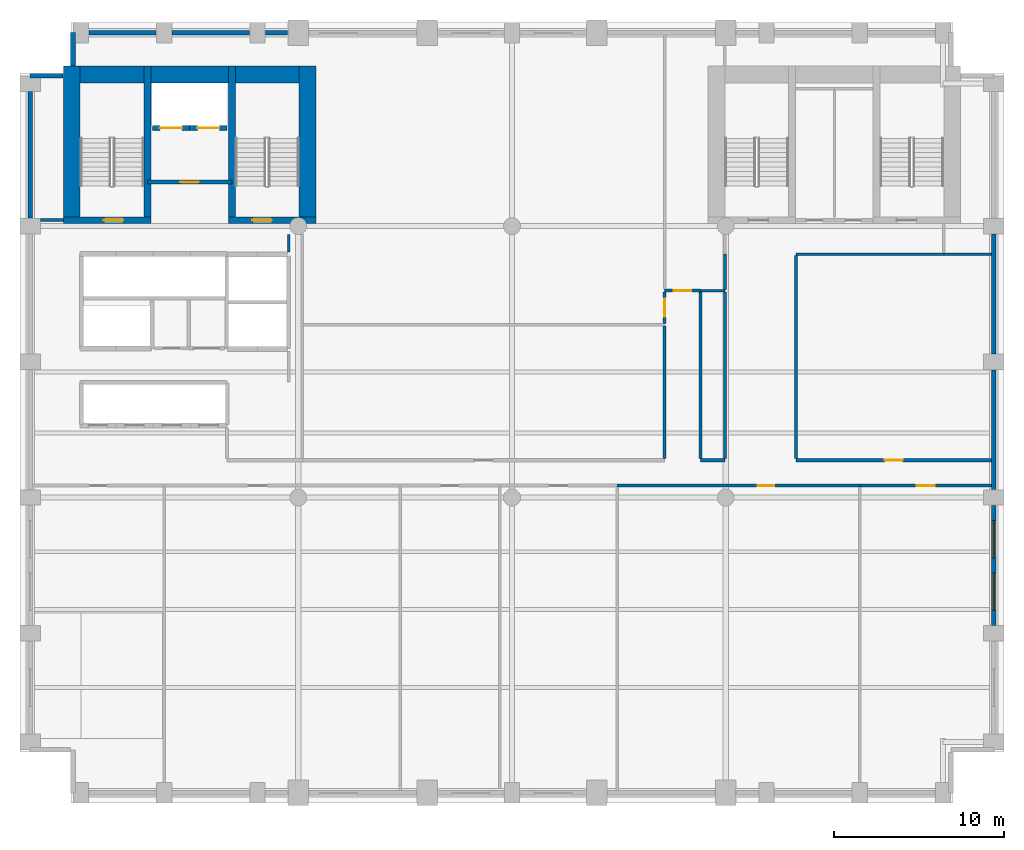
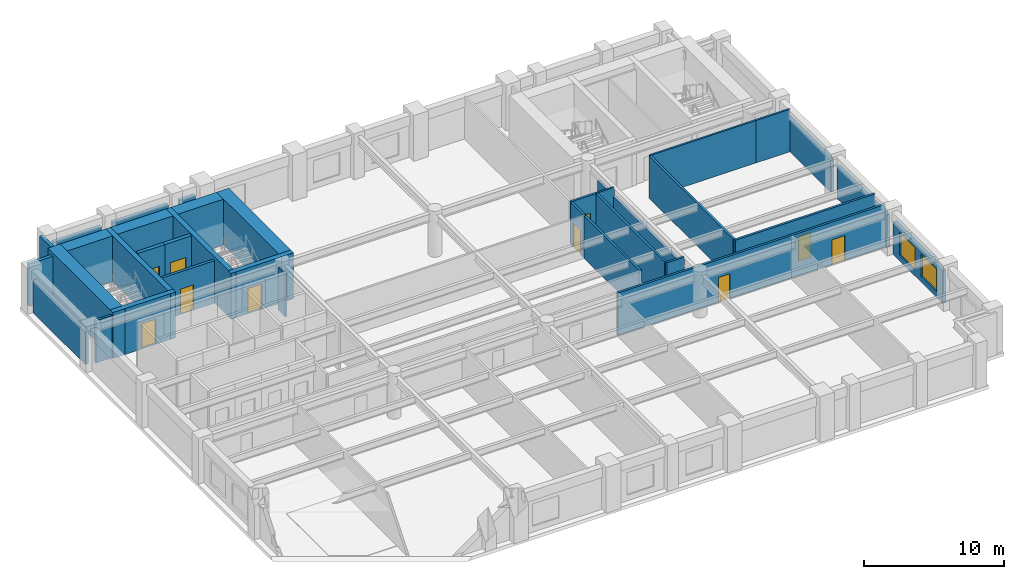
# One storey, part 4 of 9: 35 walls, 10 doors, 2 windows, 12 openings.
"""IFC4 building model written with IfcOpenShell, lengths in metres."""

import ifcopenshell
import ifcopenshell.guid

model = None  # the IFC model being written
_history = None  # IfcOwnerHistory: only IFC2X3 demands one
_inside = {}  # id of a spatial element -> (the spatial element, [elements in it])
_under = {}  # id of a project, library or spatial element -> (it, [spatial elements below it])
_declared = {}  # id of a project -> (the project, [libraries it declares])
_typed = {}  # id of a type object -> (the type object, [elements of that type])
_made_of = {}  # id of a material, layer set ... -> (it, [elements and type objects made of it])


def new_model(schema):
    """Start an empty IFC model of exactly this schema.

    Asked for "IFC4X3", IfcOpenShell would pick the latest addendum, in which some entities
    have other attributes; the version numbers below select the first issue.
    IFC2X3 requires an IfcOwnerHistory on every rooted entity: one is made here for all.
    """
    global model, _history
    if schema == "IFC4X3":
        model = ifcopenshell.file(schema_version=(4, 3, 0, 0))
    else:
        model = ifcopenshell.file(schema=schema)
    _inside.clear()
    _under.clear()
    _declared.clear()
    _typed.clear()
    _made_of.clear()
    _history = None
    if model.schema == "IFC2X3":
        org = make("IfcOrganization", Name="unknown")
        user = make(
            "IfcPersonAndOrganization",
            ThePerson=make("IfcPerson", FamilyName="unknown"),
            TheOrganization=org,
        )
        app = make(
            "IfcApplication",
            ApplicationDeveloper=org,
            Version="unknown",
            ApplicationFullName="unknown",
            ApplicationIdentifier="unknown",
        )
        _history = make(
            "IfcOwnerHistory",
            OwningUser=user,
            OwningApplication=app,
            ChangeAction="ADDED",
            CreationDate=0,
        )
    return model


def make(cls, **values):
    """One entity of the class cls with the attributes given. An attribute that is None is left unset."""
    return model.create_entity(
        cls, **{name: value for name, value in values.items() if value is not None}
    )


def rooted(cls, **values):
    """An entity with a GlobalId (a new one), such as an element, a storey or a relation."""
    return make(cls, GlobalId=ifcopenshell.guid.new(), OwnerHistory=_history, **values)


def si_unit(unit_type, name, prefix=None):
    """IfcSIUnit, for example si_unit("LENGTHUNIT", "METRE", prefix="MILLI")."""
    return make("IfcSIUnit", UnitType=unit_type, Prefix=prefix, Name=name)


def assignment(units):
    """IfcUnitAssignment: the units of a project."""
    return None if units is None else make("IfcUnitAssignment", Units=units)


def point(xyz):
    """IfcCartesianPoint."""
    return None if xyz is None else make("IfcCartesianPoint", Coordinates=xyz)


def direction(xyz):
    """IfcDirection."""
    return None if xyz is None else make("IfcDirection", DirectionRatios=xyz)


def frame(location, z_axis=None, x_axis=None):
    """IfcAxis2Placement3D, a coordinate frame: its origin and axes. An axis left out is left unset."""
    return make(
        "IfcAxis2Placement3D",
        Location=point(location),
        Axis=direction(z_axis),
        RefDirection=direction(x_axis),
    )


def frame_2d(location, x_axis=None):
    """IfcAxis2Placement2D, a coordinate frame in the plane: its origin and x axis."""
    return make(
        "IfcAxis2Placement2D", Location=point(location), RefDirection=direction(x_axis)
    )


def origin():
    """The frame at (0, 0, 0) with its axes left unset."""
    return frame((0.0, 0.0, 0.0))


def place(relative_to, where):
    """IfcLocalPlacement: puts the frame where relative to a parent placement (None: the world)."""
    return make(
        "IfcLocalPlacement", PlacementRelTo=relative_to, RelativePlacement=where
    )


def context(
    kind, dimensions, precision=None, world=None, true_north=None, identifier=None
):
    """IfcGeometricRepresentationContext, for example the 3D "Model" context."""
    return make(
        "IfcGeometricRepresentationContext",
        ContextIdentifier=identifier,
        ContextType=kind,
        CoordinateSpaceDimension=dimensions,
        Precision=precision,
        WorldCoordinateSystem=world,
        TrueNorth=true_north,
    )


def subcontext(parent, identifier, kind, view, scale=None):
    """IfcGeometricRepresentationSubContext, for example "Body" below "Model"."""
    return make(
        "IfcGeometricRepresentationSubContext",
        ContextIdentifier=identifier,
        ContextType=kind,
        ParentContext=parent,
        TargetScale=scale,
        TargetView=view,
    )


def project(units=None, contexts=None):
    """IfcProject with its units and contexts."""
    return rooted(
        "IfcProject",
        Name="project",
        RepresentationContexts=contexts,
        UnitsInContext=assignment(units),
    )


def spatial(cls, under=None, at=None, **own):
    """A site, building, storey or space (cls), placed at a placement, below another one or the project."""
    s = rooted(cls, ObjectPlacement=at, **own)
    if under is not None:
        _under.setdefault(under.id(), (under, []))[1].append(s)
    return s


def profile(cls, at=None, kind="AREA", **sizes):
    """A parametric profile (cls). Its sizes go by their IFC names, for example OverallWidth=200.0."""
    return make(cls, ProfileType=kind, Position=at, **sizes)


def rectangle(**sizes):
    """IfcRectangleProfileDef."""
    return profile("IfcRectangleProfileDef", **sizes)


def extrude(swept, where, along, depth):
    """IfcExtrudedAreaSolid: the profile swept, set in the frame where, extruded along a direction by depth."""
    return make(
        "IfcExtrudedAreaSolid",
        SweptArea=swept,
        Position=where,
        ExtrudedDirection=direction(along),
        Depth=depth,
    )


def shape(context_of_items, identifier, shape_type, items):
    """IfcShapeRepresentation: the items that make up one representation, for example the "Body"."""
    return make(
        "IfcShapeRepresentation",
        ContextOfItems=context_of_items,
        RepresentationIdentifier=identifier,
        RepresentationType=shape_type,
        Items=items,
    )


def material(Name=None, Category=None):
    """IfcMaterial."""
    return make("IfcMaterial", Name=Name, Category=Category)


def layer(
    of_material, thickness, ventilated=None, Name=None, Category=None, Priority=None
):
    """IfcMaterialLayer: one layer of a wall or slab, of a material (None: an air gap)."""
    return make(
        "IfcMaterialLayer",
        Material=of_material,
        LayerThickness=thickness,
        IsVentilated=ventilated,
        Name=Name,
        Category=Category,
        Priority=Priority,
    )


def layer_set(layers, Name=None):
    """IfcMaterialLayerSet."""
    return make("IfcMaterialLayerSet", MaterialLayers=layers, LayerSetName=Name)


def made_of(thing, what):
    """Note that an element or type object is made of a material, layer set ...; save() writes the relation."""
    if what is not None:
        _made_of.setdefault(what.id(), (what, []))[1].append(thing)
    return thing


def type_object(cls, material=None, **own):
    """A type object (cls), such as IfcWallType, which elements share."""
    return made_of(rooted(cls, **own), material)


def element(
    cls,
    number,
    at=None,
    inside=None,
    cuts=None,
    type_object=None,
    material=None,
    context=None,
    identifier="Body",
    shape_type=None,
    held_by="IfcProductDefinitionShape",
    body=None,
    shapes=None,
    **own,
):
    """One element of the class cls, such as IfcWall. Its Tag is "e" and its number.

    at: its placement. inside: the storey or other place that contains it. cuts: it is an
    opening in that element (IfcRelVoidsElement). A single representation is given by context,
    identifier, shape_type and body (its items); several are given by shapes. held_by: the class
    of the entity that holds the representations. save() writes the other relations.
    """
    e = rooted(cls, Tag="e%d" % number, ObjectPlacement=at, **own)
    if body is not None:
        shapes = [shape(context, identifier, shape_type, body)]
    if shapes is not None:
        e.Representation = make(held_by, Representations=shapes)
    if inside is not None:
        _inside.setdefault(inside.id(), (inside, []))[1].append(e)
    if cuts is not None:
        rooted(
            "IfcRelVoidsElement", RelatingBuildingElement=cuts, RelatedOpeningElement=e
        )
    if type_object is not None:
        _typed.setdefault(type_object.id(), (type_object, []))[1].append(e)
    return made_of(e, material)


def fill(opening, filler):
    """IfcRelFillsElement: the door or window that sits in an opening."""
    return rooted(
        "IfcRelFillsElement",
        RelatingOpeningElement=opening,
        RelatedBuildingElement=filler,
    )


def aggregate(whole, parts):
    """IfcRelAggregates: a whole, such as a stair, and the parts it consists of."""
    return rooted("IfcRelAggregates", RelatingObject=whole, RelatedObjects=parts)


def save(model, path):
    """Write the relations noted so far, then the file.

    IfcRelAggregates (storeys below a building ...), IfcRelContainedInSpatialStructure (elements
    in a storey), IfcRelDefinesByType, IfcRelAssociatesMaterial and IfcRelDeclares: one each for
    every whole, place, type object, material and project.
    """
    for whole, parts in _under.values():
        aggregate(whole, parts)
    for where, things in _inside.values():
        rooted(
            "IfcRelContainedInSpatialStructure",
            RelatedElements=things,
            RelatingStructure=where,
        )
    for kind, things in _typed.values():
        rooted("IfcRelDefinesByType", RelatedObjects=things, RelatingType=kind)
    for what, things in _made_of.values():
        rooted("IfcRelAssociatesMaterial", RelatedObjects=things, RelatingMaterial=what)
    for by, libraries in _declared.values():
        rooted("IfcRelDeclares", RelatingContext=by, RelatedDefinitions=libraries)
    model.write(path)


model = new_model("IFC4")

# Units and contexts
model_context = context("Model", 3, precision=1e-05, world=origin(), true_north=direction((0.0, 1.0)))
body_context = subcontext(model_context, "Body", "Model", "MODEL_VIEW")
ifc_project = project(units=[si_unit("LENGTHUNIT", "METRE"), si_unit("AREAUNIT", "SQUARE_METRE"), si_unit("VOLUMEUNIT", "CUBIC_METRE"), si_unit("PLANEANGLEUNIT", "RADIAN"), si_unit("MASSUNIT", "GRAM", prefix="KILO")], contexts=[model_context])

# Site, building, storey
site_placement = place(None, origin())
site = spatial("IfcSite", under=ifc_project, at=site_placement, CompositionType="ELEMENT")
building_placement = place(site_placement, origin())
building = spatial("IfcBuilding", under=site, at=building_placement, Name="Sulina Concourse Tower", CompositionType="ELEMENT")
storey_placement = place(building_placement, frame((0.0, 0.0, 66.60009765625)))
storey = spatial("IfcBuildingStorey", under=building, at=storey_placement, Name="L16", CompositionType="ELEMENT", Elevation=66.60009765625)

# Wall, opening, door
ifc_material_1 = material(Name="Concrete C50/60", Category="concrete")
ifc_layer_1 = layer(ifc_material_1, 0.300048828125)
ifc_layer_set_1 = layer_set([ifc_layer_1], Name="Concrete C50/60")
wall_type_1 = type_object("IfcWallType", Name="Core Lift Hoistway Wall 300mm", PredefinedType="SOLIDWALL", material=ifc_layer_set_1)
wall_1_placement = place(storey_placement, frame((10.0, 39.780029296875, 0.0), z_axis=(0.0, 0.0, 1.0), x_axis=(-1.0, 0.0, 0.0)))
wall_1 = element("IfcWall", 1, at=wall_1_placement, inside=storey, type_object=wall_type_1, Name="L16 hoistway enclosure wall FFL-1", PredefinedType="SOLIDWALL", context=body_context, shape_type="SweptSolid", body=[
    extrude(rectangle(XDim=2.199951171875, YDim=0.300048828125, at=frame_2d((1.10009765625, 0.0))), origin(), (0.0, 0.0, 1.0), 4.0),
])
opening_1_placement = place(wall_1_placement, frame((0.449951171875, 0.0, 0.0)))
opening_1 = element("IfcOpeningElement", 2, at=opening_1_placement, cuts=wall_1, Name="Opening LD-02", PredefinedType="OPENING", context=body_context, shape_type="SweptSolid", body=[
    extrude(rectangle(XDim=1.300048828125, YDim=2.25, at=frame_2d((0.64990234375, 1.125))), frame((0.0, 0.159912109375, 0.0), z_axis=(0.0, -1.0, 0.0), x_axis=(1.0, 0.0, 0.0)), (0.0, 0.0, 1.0), 0.320068359375),
])
ifc_material_2 = material(Name="Stainless steel lift landing door", Category="steel")
ifc_layer_2 = layer(ifc_material_2, 0.050048828125)
ifc_layer_set_2 = layer_set([ifc_layer_2], Name="Stainless steel lift landing door")
door_type_1 = type_object("IfcDoorType", Name="Firefighting Lift Sliding Landing Door 1300x2250", OperationType="SLIDING_TO_RIGHT", PredefinedType="DOOR", material=ifc_layer_set_2)
door_1_placement = place(opening_1_placement, origin())
door_1 = element("IfcDoor", 3, at=door_1_placement, inside=storey, type_object=door_type_1, Name="L16 lift landing sliding door FFL-1", OperationType="SLIDING_TO_LEFT", OverallHeight=2.25, OverallWidth=1.300048828125, PredefinedType="DOOR", context=body_context, shape_type="SweptSolid", body=[
    extrude(rectangle(XDim=1.300048828125, YDim=2.25, at=frame_2d((0.64990234375, 1.125))), frame((0.0, 0.02490234375, 0.0), z_axis=(0.0, -1.0, 0.0), x_axis=(1.0, 0.0, 0.0)), (0.0, 0.0, 1.0), 0.050048828125),
])
fill(opening_1, door_1)

wall_2_placement = place(storey_placement, frame((12.199951171875, 39.780029296875, 0.0), z_axis=(0.0, 0.0, 1.0), x_axis=(-1.0, 0.0, 0.0)))
wall_2 = element("IfcWall", 4, at=wall_2_placement, inside=storey, type_object=wall_type_1, Name="L16 hoistway enclosure wall FFL-2", PredefinedType="SOLIDWALL", context=body_context, shape_type="SweptSolid", body=[
    extrude(rectangle(XDim=2.199951171875, YDim=0.300048828125, at=frame_2d((1.10009765625, 0.0))), origin(), (0.0, 0.0, 1.0), 4.0),
])
opening_2_placement = place(wall_2_placement, frame((0.449951171875, 0.0, 0.0)))
opening_2 = element("IfcOpeningElement", 5, at=opening_2_placement, cuts=wall_2, Name="Opening LD-02", PredefinedType="OPENING", context=body_context, shape_type="SweptSolid", body=[
    extrude(rectangle(XDim=1.300048828125, YDim=2.25, at=frame_2d((0.64990234375, 1.125))), frame((0.0, 0.159912109375, 0.0), z_axis=(0.0, -1.0, 0.0), x_axis=(1.0, 0.0, 0.0)), (0.0, 0.0, 1.0), 0.320068359375),
])
door_2_placement = place(opening_2_placement, origin())
door_2 = element("IfcDoor", 6, at=door_2_placement, inside=storey, type_object=door_type_1, Name="L16 lift landing sliding door FFL-2", OperationType="SLIDING_TO_RIGHT", OverallHeight=2.25, OverallWidth=1.300048828125, PredefinedType="DOOR", context=body_context, shape_type="SweptSolid", body=[
    extrude(rectangle(XDim=1.300048828125, YDim=2.25, at=frame_2d((0.64990234375, 1.125))), frame((0.0, 0.02490234375, 0.0), z_axis=(0.0, -1.0, 0.0), x_axis=(1.0, 0.0, 0.0)), (0.0, 0.0, 1.0), 0.050048828125),
])
fill(opening_2, door_2)

ifc_material_3 = material(Name="Gypsum board on steel stud", Category="steel")
ifc_layer_3 = layer(ifc_material_3, 0.219970703125)
ifc_layer_set_3 = layer_set([ifc_layer_3], Name="Gypsum board on steel stud")
wall_type_2 = type_object("IfcWallType", Name="Fire-Rated Lobby & Compartment Wall 220mm", PredefinedType="PARTITIONING", material=ifc_layer_set_3)
wall_3_placement = place(storey_placement, frame((7.510009765625, 36.60009765625, 0.0), z_axis=(0.0, 0.0, 1.0), x_axis=(1.0, 0.0, 0.0)))
wall_3 = element("IfcWall", 7, at=wall_3_placement, inside=storey, type_object=wall_type_2, Name="L16 firefighting lobby south fire wall", PredefinedType="PARTITIONING", context=body_context, shape_type="SweptSolid", body=[
    extrude(rectangle(XDim=4.97998046875, YDim=0.219970703125, at=frame_2d((2.489990234375, 0.0))), origin(), (0.0, 0.0, 1.0), 3.699951171875),
])
opening_3_placement = place(wall_3_placement, frame((1.93994140625, 0.0, 0.0)))
opening_3 = element("IfcOpeningElement", 8, at=opening_3_placement, cuts=wall_3, Name="Opening DR-47", PredefinedType="OPENING", context=body_context, shape_type="SweptSolid", body=[
    extrude(rectangle(XDim=1.10009765625, YDim=2.199951171875, at=frame_2d((0.550048828125, 1.10009765625))), frame((0.0, 0.119873046875, 0.0), z_axis=(0.0, -1.0, 0.0), x_axis=(1.0, 0.0, 0.0)), (0.0, 0.0, 1.0), 0.239990234375),
])
ifc_material_4 = material(Name="Galvanised steel acoustic fire leaf", Category="steel")
ifc_layer_4 = layer(ifc_material_4, 0.054931640625)
ifc_layer_set_4 = layer_set([ifc_layer_4], Name="Galvanised steel acoustic fire leaf")
door_type_2 = type_object("IfcDoorType", Name="Firefighting Lobby Fire Door 1100x2200", OperationType="NOTDEFINED", PredefinedType="DOOR", material=ifc_layer_set_4)
door_3_placement = place(opening_3_placement, origin())
door_3 = element("IfcDoor", 9, at=door_3_placement, inside=storey, type_object=door_type_2, Name="L16 firefighting lobby fire door", OperationType="SINGLE_SWING_LEFT", OverallHeight=2.199951171875, OverallWidth=1.10009765625, PredefinedType="DOOR", context=body_context, shape_type="SweptSolid", body=[
    extrude(rectangle(XDim=1.10009765625, YDim=2.199951171875, at=frame_2d((0.550048828125, 1.10009765625))), frame((0.0, 0.02490234375, 0.0), z_axis=(0.0, -1.0, 0.0), x_axis=(1.0, 0.0, 0.0)), (0.0, 0.0, 1.0), 0.050048828125),
])
fill(opening_3, door_3)

# Walls
ifc_material_5 = material(Name="Gypsum board on steel stud", Category="steel")
ifc_layer_5 = layer(ifc_material_5, 0.14990234375)
ifc_layer_set_5 = layer_set([ifc_layer_5], Name="Gypsum board on steel stud")
wall_type_3 = type_object("IfcWallType", Name="Inter-Tenancy Acoustic Partition 150mm", PredefinedType="PARTITIONING", material=ifc_layer_set_5)
wall_4_placement = place(storey_placement, frame((40.10009765625, 30.199951171875, 0.0), z_axis=(0.0, 0.0, 1.0), x_axis=(1.0, 0.0, 0.0)))
element("IfcWall", 10, at=wall_4_placement, inside=storey, type_object=wall_type_3, Name="L16 interior partition 015", PredefinedType="PARTITIONING", context=body_context, shape_type="SweptSolid", body=[
    extrude(rectangle(XDim=1.449951171875, YDim=0.14990234375, at=frame_2d((0.72509765625, 0.0))), origin(), (0.0, 0.0, 1.0), 3.699951171875),
])
wall_5_placement = place(storey_placement, frame((45.75, 32.35009765625, 0.0), z_axis=(0.0, 0.0, 1.0), x_axis=(1.0, 0.0, 0.0)))
element("IfcWall", 11, at=wall_5_placement, inside=storey, type_object=wall_type_3, Name="L16 interior partition 016", PredefinedType="PARTITIONING", context=body_context, shape_type="SweptSolid", body=[
    extrude(rectangle(XDim=8.699951171875, YDim=0.14990234375, at=frame_2d((4.35009765625, 0.0))), origin(), (0.0, 0.0, 1.0), 3.699951171875),
])
wall_6_placement = place(storey_placement, frame((54.449951171875, 32.35009765625, 0.0), z_axis=(0.0, 0.0, 1.0), x_axis=(1.0, 0.0, 0.0)))
element("IfcWall", 12, at=wall_6_placement, inside=storey, type_object=wall_type_3, Name="L16 interior partition 017", PredefinedType="PARTITIONING", context=body_context, shape_type="SweptSolid", body=[
    extrude(rectangle(XDim=2.81005859375, YDim=0.14990234375, at=frame_2d((1.405029296875, 0.0))), origin(), (0.0, 0.0, 1.0), 3.699951171875),
])
wall_7_placement = place(storey_placement, frame((15.85009765625, 32.469970703125, 0.0), z_axis=(0.0, 0.0, 1.0), x_axis=(0.0, 1.0, 0.0)))
element("IfcWall", 13, at=wall_7_placement, inside=storey, type_object=wall_type_3, Name="L16 interior partition 025", PredefinedType="PARTITIONING", context=body_context, shape_type="SweptSolid", body=[
    extrude(rectangle(XDim=1.030029296875, YDim=0.14990234375, at=frame_2d((0.51513671875, 0.0))), origin(), (0.0, 0.0, 1.0), 3.699951171875),
])

# Wall, opening, door
ifc_material_6 = material(Name="Gypsum board on steel stud", Category="steel")
ifc_layer_6 = layer(ifc_material_6, 0.179931640625)
ifc_layer_set_6 = layer_set([ifc_layer_6], Name="Gypsum board on steel stud")
wall_type_4 = type_object("IfcWallType", Name="Protected Corridor & Riser Partition 180mm", PredefinedType="PARTITIONING", material=ifc_layer_set_6)
wall_8_placement = place(storey_placement, frame((35.199951171875, 18.699951171875, 0.0), z_axis=(0.0, 0.0, 1.0), x_axis=(1.0, 0.0, 0.0)))
wall_8 = element("IfcWall", 14, at=wall_8_placement, inside=storey, type_object=wall_type_4, Name="L16 interior partition 005", PredefinedType="PARTITIONING", context=body_context, shape_type="SweptSolid", body=[
    extrude(rectangle(XDim=14.300048828125, YDim=0.179931640625, at=frame_2d((7.14990234375, 0.0))), origin(), (0.0, 0.0, 1.0), 3.699951171875),
])
opening_4_placement = place(wall_8_placement, frame((8.294921875, 0.0, 0.0)))
opening_4 = element("IfcOpeningElement", 15, at=opening_4_placement, cuts=wall_8, Name="Opening DR-19", PredefinedType="OPENING", context=body_context, shape_type="SweptSolid", body=[
    extrude(rectangle(XDim=0.949951171875, YDim=2.14990234375, at=frame_2d((0.47509765625, 1.074951171875))), frame((0.0, 0.099853515625, 0.0), z_axis=(0.0, -1.0, 0.0), x_axis=(1.0, 0.0, 0.0)), (0.0, 0.0, 1.0), 0.199951171875),
])
ifc_material_7 = material(Name="Oak-veneered acoustic timber leaf", Category="wood")
ifc_layer_7 = layer(ifc_material_7, 0.050048828125)
ifc_layer_set_7 = layer_set([ifc_layer_7], Name="Oak-veneered acoustic timber leaf")
door_type_3 = type_object("IfcDoorType", Name="Cellular Office & Meeting Door 950x2150", OperationType="NOTDEFINED", PredefinedType="DOOR", material=ifc_layer_set_7)
door_4_placement = place(opening_4_placement, origin())
door_4 = element("IfcDoor", 16, at=door_4_placement, inside=storey, type_object=door_type_3, Name="L16 interior door L16-S04", OperationType="SINGLE_SWING_RIGHT", OverallHeight=2.14990234375, OverallWidth=0.949951171875, PredefinedType="DOOR", context=body_context, shape_type="SweptSolid", body=[
    extrude(rectangle(XDim=0.949951171875, YDim=2.14990234375, at=frame_2d((0.47509765625, 1.074951171875))), frame((0.0, 0.02490234375, 0.0), z_axis=(0.0, -1.0, 0.0), x_axis=(1.0, 0.0, 0.0)), (0.0, 0.0, 1.0), 0.050048828125),
])
fill(opening_4, door_4)

wall_9_placement = place(storey_placement, frame((49.5, 18.699951171875, 0.0), z_axis=(0.0, 0.0, 1.0), x_axis=(1.0, 0.0, 0.0)))
wall_9 = element("IfcWall", 17, at=wall_9_placement, inside=storey, type_object=wall_type_4, Name="L16 interior partition 006", PredefinedType="PARTITIONING", context=body_context, shape_type="SweptSolid", body=[
    extrude(rectangle(XDim=7.760009765625, YDim=0.179931640625, at=frame_2d((3.8798828125, 0.0))), origin(), (0.0, 0.0, 1.0), 3.699951171875),
])
opening_5_placement = place(wall_9_placement, frame((3.35498046875, 0.0, 0.0)))
opening_5 = element("IfcOpeningElement", 18, at=opening_5_placement, cuts=wall_9, Name="Opening DR-37", PredefinedType="OPENING", context=body_context, shape_type="SweptSolid", body=[
    extrude(rectangle(XDim=1.050048828125, YDim=2.14990234375, at=frame_2d((0.52490234375, 1.074951171875))), frame((0.0, 0.099853515625, 0.0), z_axis=(0.0, -1.0, 0.0), x_axis=(1.0, 0.0, 0.0)), (0.0, 0.0, 1.0), 0.199951171875),
])
ifc_material_8 = material(Name="Oak-veneered fire door leaf")
ifc_layer_8 = layer(ifc_material_8, 0.050048828125)
ifc_layer_set_8 = layer_set([ifc_layer_8], Name="Oak-veneered fire door leaf")
door_type_4 = type_object("IfcDoorType", Name="Tenant Suite Entrance Fire Door 1050x2150", OperationType="NOTDEFINED", PredefinedType="DOOR", material=ifc_layer_set_8)
door_5_placement = place(opening_5_placement, origin())
door_5 = element("IfcDoor", 19, at=door_5_placement, inside=storey, type_object=door_type_4, Name="L16 interior door L16-S05", OperationType="SINGLE_SWING_LEFT", OverallHeight=2.14990234375, OverallWidth=1.050048828125, PredefinedType="DOOR", context=body_context, shape_type="SweptSolid", body=[
    extrude(rectangle(XDim=1.050048828125, YDim=2.14990234375, at=frame_2d((0.52490234375, 1.074951171875))), frame((0.0, 0.02490234375, 0.0), z_axis=(0.0, -1.0, 0.0), x_axis=(1.0, 0.0, 0.0)), (0.0, 0.0, 1.0), 0.050048828125),
])
fill(opening_5, door_5)

# Wall
wall_10_placement = place(storey_placement, frame((40.10009765625, 20.199951171875, 0.0), z_axis=(0.0, 0.0, 1.0), x_axis=(1.0, 0.0, 0.0)))
element("IfcWall", 20, at=wall_10_placement, inside=storey, type_object=wall_type_4, Name="L16 interior partition 009", PredefinedType="PARTITIONING", context=body_context, shape_type="SweptSolid", body=[
    extrude(rectangle(XDim=1.449951171875, YDim=0.179931640625, at=frame_2d((0.72509765625, 0.0))), origin(), (0.0, 0.0, 1.0), 3.699951171875),
])

# Wall, opening, door
wall_11_placement = place(storey_placement, frame((45.75, 20.199951171875, 0.0), z_axis=(0.0, 0.0, 1.0), x_axis=(1.0, 0.0, 0.0)))
wall_11 = element("IfcWall", 21, at=wall_11_placement, inside=storey, type_object=wall_type_4, Name="L16 interior partition 010", PredefinedType="PARTITIONING", context=body_context, shape_type="SweptSolid", body=[
    extrude(rectangle(XDim=11.510009765625, YDim=0.179931640625, at=frame_2d((5.7548828125, 0.0))), origin(), (0.0, 0.0, 1.0), 3.699951171875),
])
opening_6_placement = place(wall_11_placement, frame((5.22998046875, 0.0, 0.0)))
opening_6 = element("IfcOpeningElement", 22, at=opening_6_placement, cuts=wall_11, Name="Opening DR-37", PredefinedType="OPENING", context=body_context, shape_type="SweptSolid", body=[
    extrude(rectangle(XDim=1.050048828125, YDim=2.14990234375, at=frame_2d((0.52490234375, 1.074951171875))), frame((0.0, 0.099853515625, 0.0), z_axis=(0.0, -1.0, 0.0), x_axis=(1.0, 0.0, 0.0)), (0.0, 0.0, 1.0), 0.199951171875),
])
door_6_placement = place(opening_6_placement, origin())
door_6 = element("IfcDoor", 23, at=door_6_placement, inside=storey, type_object=door_type_4, Name="L16 interior door L16-NE1", OperationType="SINGLE_SWING_LEFT", OverallHeight=2.14990234375, OverallWidth=1.050048828125, PredefinedType="DOOR", context=body_context, shape_type="SweptSolid", body=[
    extrude(rectangle(XDim=1.050048828125, YDim=2.14990234375, at=frame_2d((0.52490234375, 1.074951171875))), frame((0.0, 0.02490234375, 0.0), z_axis=(0.0, -1.0, 0.0), x_axis=(1.0, 0.0, 0.0)), (0.0, 0.0, 1.0), 0.050048828125),
])
fill(opening_6, door_6)

wall_12_placement = place(storey_placement, frame((38.0, 30.199951171875, 0.0), z_axis=(0.0, 0.0, 1.0), x_axis=(1.0, 0.0, 0.0)))
wall_12 = element("IfcWall", 24, at=wall_12_placement, inside=storey, type_object=wall_type_4, Name="L16 interior partition 014", PredefinedType="PARTITIONING", context=body_context, shape_type="SweptSolid", body=[
    extrude(rectangle(XDim=2.10009765625, YDim=0.179931640625, at=frame_2d((1.050048828125, 0.0))), origin(), (0.0, 0.0, 1.0), 3.699951171875),
])
opening_7_placement = place(wall_12_placement, frame((0.52490234375, 0.0, 0.0)))
opening_7 = element("IfcOpeningElement", 25, at=opening_7_placement, cuts=wall_12, Name="Opening DR-37", PredefinedType="OPENING", context=body_context, shape_type="SweptSolid", body=[
    extrude(rectangle(XDim=1.050048828125, YDim=2.14990234375, at=frame_2d((0.52490234375, 1.074951171875))), frame((0.0, 0.099853515625, 0.0), z_axis=(0.0, -1.0, 0.0), x_axis=(1.0, 0.0, 0.0)), (0.0, 0.0, 1.0), 0.199951171875),
])
door_7_placement = place(opening_7_placement, origin())
door_7 = element("IfcDoor", 26, at=door_7_placement, inside=storey, type_object=door_type_4, Name="L16 interior door L16-NC4", OperationType="SINGLE_SWING_LEFT", OverallHeight=2.14990234375, OverallWidth=1.050048828125, PredefinedType="DOOR", context=body_context, shape_type="SweptSolid", body=[
    extrude(rectangle(XDim=1.050048828125, YDim=2.14990234375, at=frame_2d((0.52490234375, 1.074951171875))), frame((0.0, 0.02490234375, 0.0), z_axis=(0.0, -1.0, 0.0), x_axis=(1.0, 0.0, 0.0)), (0.0, 0.0, 1.0), 0.050048828125),
])
fill(opening_7, door_7)

# Walls
wall_13_placement = place(storey_placement, frame((1.199951171875, 34.35009765625, 0.0), z_axis=(0.0, 0.0, 1.0), x_axis=(1.0, 0.0, 0.0)))
element("IfcWall", 27, at=wall_13_placement, inside=storey, type_object=wall_type_4, Name="L16 interior partition 018", PredefinedType="PARTITIONING", context=body_context, shape_type="SweptSolid", body=[
    extrude(rectangle(XDim=1.35009765625, YDim=0.179931640625, at=frame_2d((0.675048828125, 0.0))), origin(), (0.0, 0.0, 1.0), 3.699951171875),
])
wall_14_placement = place(storey_placement, frame((38.0, 20.2900390625, 0.0), z_axis=(0.0, 0.0, 1.0), x_axis=(0.0, 1.0, 0.0)))
element("IfcWall", 28, at=wall_14_placement, inside=storey, type_object=wall_type_4, Name="L16 interior partition 031", PredefinedType="PARTITIONING", context=body_context, shape_type="SweptSolid", body=[
    extrude(rectangle(XDim=7.8349609375, YDim=0.179931640625, at=frame_2d((3.91748046875, 0.0))), origin(), (0.0, 0.0, 1.0), 3.699951171875),
])

# Wall, opening, door
wall_15_placement = place(storey_placement, frame((38.0, 28.27490234375, 0.0), z_axis=(0.0, 0.0, 1.0), x_axis=(0.0, 1.0, 0.0)))
wall_15 = element("IfcWall", 29, at=wall_15_placement, inside=storey, type_object=wall_type_4, Name="L16 interior partition 032", PredefinedType="PARTITIONING", context=body_context, shape_type="SweptSolid", body=[
    extrude(rectangle(XDim=1.835205078125, YDim=0.179931640625, at=frame_2d((0.91748046875, 0.0))), origin(), (0.0, 0.0, 1.0), 3.699951171875),
])
opening_8_placement = place(wall_15_placement, frame((0.392578125, 0.0, 0.0)))
opening_8 = element("IfcOpeningElement", 30, at=opening_8_placement, cuts=wall_15, Name="Opening DR-37", PredefinedType="OPENING", context=body_context, shape_type="SweptSolid", body=[
    extrude(rectangle(XDim=1.050048828125, YDim=2.14990234375, at=frame_2d((0.52490234375, 1.074951171875))), frame((0.0, 0.099853515625, 0.0), z_axis=(0.0, -1.0, 0.0), x_axis=(1.0, 0.0, 0.0)), (0.0, 0.0, 1.0), 0.199951171875),
])
door_8_placement = place(opening_8_placement, origin())
door_8 = element("IfcDoor", 31, at=door_8_placement, inside=storey, type_object=door_type_4, Name="L16 interior door L16-NC2", OperationType="SINGLE_SWING_RIGHT", OverallHeight=2.14990234375, OverallWidth=1.050048828125, PredefinedType="DOOR", context=body_context, shape_type="SweptSolid", body=[
    extrude(rectangle(XDim=1.050048828125, YDim=2.14990234375, at=frame_2d((0.52490234375, 1.074951171875))), frame((0.0, 0.02490234375, 0.0), z_axis=(0.0, -1.0, 0.0), x_axis=(1.0, 0.0, 0.0)), (0.0, 0.0, 1.0), 0.050048828125),
])
fill(opening_8, door_8)

# Walls
wall_16_placement = place(storey_placement, frame((40.10009765625, 20.2900390625, 0.0), z_axis=(0.0, 0.0, 1.0), x_axis=(0.0, 1.0, 0.0)))
element("IfcWall", 32, at=wall_16_placement, inside=storey, type_object=wall_type_4, Name="L16 interior partition 034", PredefinedType="PARTITIONING", context=body_context, shape_type="SweptSolid", body=[
    extrude(rectangle(XDim=9.820068359375, YDim=0.179931640625, at=frame_2d((4.91015625, 0.0))), origin(), (0.0, 0.0, 1.0), 3.699951171875),
])
wall_17_placement = place(storey_placement, frame((41.550048828125, 20.2900390625, 0.0), z_axis=(0.0, 0.0, 1.0), x_axis=(0.0, 1.0, 0.0)))
element("IfcWall", 33, at=wall_17_placement, inside=storey, type_object=wall_type_4, Name="L16 interior partition 035", PredefinedType="PARTITIONING", context=body_context, shape_type="SweptSolid", body=[
    extrude(rectangle(XDim=9.8349609375, YDim=0.179931640625, at=frame_2d((4.91748046875, 0.0))), origin(), (0.0, 0.0, 1.0), 2.994873046875),
])
wall_18_placement = place(storey_placement, frame((41.550048828125, 30.27490234375, 0.0), z_axis=(0.0, 0.0, 1.0), x_axis=(0.0, 1.0, 0.0)))
element("IfcWall", 34, at=wall_18_placement, inside=storey, type_object=wall_type_4, Name="L16 interior partition 036", PredefinedType="PARTITIONING", context=body_context, shape_type="SweptSolid", body=[
    extrude(rectangle(XDim=2.0751953125, YDim=0.179931640625, at=frame_2d((1.03759765625, 0.0))), origin(), (0.0, 0.0, 1.0), 2.994873046875),
])
wall_19_placement = place(storey_placement, frame((45.75, 20.2900390625, 0.0), z_axis=(0.0, 0.0, 1.0), x_axis=(0.0, 1.0, 0.0)))
element("IfcWall", 35, at=wall_19_placement, inside=storey, type_object=wall_type_4, Name="L16 interior partition 039", PredefinedType="PARTITIONING", context=body_context, shape_type="SweptSolid", body=[
    extrude(rectangle(XDim=11.98486328125, YDim=0.179931640625, at=frame_2d((5.992431640625, 0.0))), origin(), (0.0, 0.0, 1.0), 3.699951171875),
])

# Wall, opening, door
ifc_material_9 = material(Name="Concrete C60/75", Category="concrete")
ifc_layer_9 = layer(ifc_material_9, 0.39990234375)
ifc_layer_set_9 = layer_set([ifc_layer_9], Name="Concrete C60/75")
wall_type_5 = type_object("IfcWallType", Name="Protected Stair Core Shear Wall 400mm", PredefinedType="SHEAR", material=ifc_layer_set_9)
wall_20_placement = place(storey_placement, frame((2.550048828125, 34.35009765625, 0.0), z_axis=(0.0, 0.0, 1.0), x_axis=(1.0, 0.0, 0.0)))
wall_20 = element("IfcWall", 36, at=wall_20_placement, inside=storey, type_object=wall_type_5, Name="L16 west core shear wall CW-WS1", PredefinedType="SHEAR", context=body_context, shape_type="SweptSolid", body=[
    extrude(rectangle(XDim=5.159912109375, YDim=0.39990234375, at=frame_2d((2.580078125, 0.0))), origin(), (0.0, 0.0, 1.0), 4.0),
])
opening_9_placement = place(wall_20_placement, frame((2.39990234375, 0.0, 0.0)))
opening_9 = element("IfcOpeningElement", 37, at=opening_9_placement, cuts=wall_20, Name="Opening DR-60", PredefinedType="OPENING", context=body_context, shape_type="SweptSolid", body=[
    extrude(rectangle(XDim=1.14990234375, YDim=2.199951171875, at=frame_2d((0.574951171875, 1.10009765625))), frame((0.0, 0.2099609375, 0.0), z_axis=(0.0, -1.0, 0.0), x_axis=(1.0, 0.0, 0.0)), (0.0, 0.0, 1.0), 0.419921875),
])
ifc_material_10 = material(Name="Galvanised steel acoustic fire leaf", Category="steel")
ifc_layer_10 = layer(ifc_material_10, 0.054931640625)
ifc_layer_set_10 = layer_set([ifc_layer_10], Name="Galvanised steel acoustic fire leaf")
door_type_5 = type_object("IfcDoorType", Name="Protected Exit Stair Fire Door 1150x2200", OperationType="NOTDEFINED", PredefinedType="DOOR", material=ifc_layer_set_10)
door_9_placement = place(opening_9_placement, origin())
door_9 = element("IfcDoor", 38, at=door_9_placement, inside=storey, type_object=door_type_5, Name="L16 stair ST-1 lobby fire door", OperationType="SINGLE_SWING_LEFT", OverallHeight=2.199951171875, OverallWidth=1.14990234375, PredefinedType="DOOR", context=body_context, shape_type="SweptSolid", body=[
    extrude(rectangle(XDim=1.14990234375, YDim=2.199951171875, at=frame_2d((0.574951171875, 1.10009765625))), frame((0.0, 0.02490234375, 0.0), z_axis=(0.0, -1.0, 0.0), x_axis=(1.0, 0.0, 0.0)), (0.0, 0.0, 1.0), 0.050048828125),
])
fill(opening_9, door_9)

wall_21_placement = place(storey_placement, frame((12.2900390625, 34.35009765625, 0.0), z_axis=(0.0, 0.0, 1.0), x_axis=(1.0, 0.0, 0.0)))
wall_21 = element("IfcWall", 39, at=wall_21_placement, inside=storey, type_object=wall_type_5, Name="L16 west core shear wall CW-WS2", PredefinedType="SHEAR", context=body_context, shape_type="SweptSolid", body=[
    extrude(rectangle(XDim=5.159912109375, YDim=0.39990234375, at=frame_2d((2.580078125, 0.0))), origin(), (0.0, 0.0, 1.0), 4.0),
])
opening_10_placement = place(wall_21_placement, frame((1.39990234375, 0.0, 0.0)))
opening_10 = element("IfcOpeningElement", 40, at=opening_10_placement, cuts=wall_21, Name="Opening DR-60", PredefinedType="OPENING", context=body_context, shape_type="SweptSolid", body=[
    extrude(rectangle(XDim=1.14990234375, YDim=2.199951171875, at=frame_2d((0.574951171875, 1.10009765625))), frame((0.0, 0.2099609375, 0.0), z_axis=(0.0, -1.0, 0.0), x_axis=(1.0, 0.0, 0.0)), (0.0, 0.0, 1.0), 0.419921875),
])
door_10_placement = place(opening_10_placement, origin())
door_10 = element("IfcDoor", 41, at=door_10_placement, inside=storey, type_object=door_type_5, Name="L16 stair ST-2 lobby fire door", OperationType="SINGLE_SWING_RIGHT", OverallHeight=2.199951171875, OverallWidth=1.14990234375, PredefinedType="DOOR", context=body_context, shape_type="SweptSolid", body=[
    extrude(rectangle(XDim=1.14990234375, YDim=2.199951171875, at=frame_2d((0.574951171875, 1.10009765625))), frame((0.0, 0.02490234375, 0.0), z_axis=(0.0, -1.0, 0.0), x_axis=(1.0, 0.0, 0.0)), (0.0, 0.0, 1.0), 0.050048828125),
])
fill(opening_10, door_10)

# Walls
for number, where, z_axis, x_axis, name in (
    (42, (7.510009765625, 34.14990234375, 0.0), (0.0, 0.0, 1.0), (0.0, 1.0, 0.0), "L16 west core shear wall SW-ST1"),
    (43, (12.489990234375, 34.14990234375, 0.0), (0.0, 0.0, 1.0), (0.0, 1.0, 0.0), "L16 west core shear wall SW-ST2"),
):
    element("IfcWall", number, at=place(storey_placement, frame(where, z_axis=z_axis, x_axis=x_axis)), inside=storey, type_object=wall_type_5, Name=name, PredefinedType="SHEAR", context=body_context, shape_type="SweptSolid", body=[
        extrude(rectangle(XDim=9.280029296875, YDim=0.39990234375, at=frame_2d((4.64013671875, 0.0))), origin(), (0.0, 0.0, 1.0), 4.0),
    ])
ifc_material_11 = material(Name="Concrete C80/95", Category="concrete")
ifc_layer_11 = layer(ifc_material_11, 1.0)
ifc_layer_set_11 = layer_set([ifc_layer_11], Name="Concrete C80/95")
wall_type_6 = type_object("IfcWallType", Name="Rear Core Shear Wall 1000mm", PredefinedType="SHEAR", material=ifc_layer_set_11)
wall_22_placement = place(storey_placement, frame((2.550048828125, 42.929931640625, 0.0), z_axis=(0.0, 0.0, 1.0), x_axis=(1.0, 0.0, 0.0)))
element("IfcWall", 44, at=wall_22_placement, inside=storey, type_object=wall_type_6, Name="L16 west core shear wall CW-WN", PredefinedType="SHEAR", context=body_context, shape_type="SweptSolid", body=[
    extrude(rectangle(XDim=14.89990234375, YDim=1.0, at=frame_2d((7.449951171875, 0.0))), origin(), (0.0, 0.0, 1.0), 4.0),
])
for number, where, z_axis, x_axis, name in (
    (45, (3.050048828125, 34.14990234375, 0.0), (0.0, 0.0, 1.0), (0.0, 1.0, 0.0), "L16 west core shear wall CW-WW"),
    (46, (16.949951171875, 34.14990234375, 0.0), (0.0, 0.0, 1.0), (0.0, 1.0, 0.0), "L16 west core shear wall CW-WE"),
):
    element("IfcWall", number, at=place(storey_placement, frame(where, z_axis=z_axis, x_axis=x_axis)), inside=storey, type_object=wall_type_6, Name=name, PredefinedType="SHEAR", context=body_context, shape_type="SweptSolid", body=[
        extrude(rectangle(XDim=9.280029296875, YDim=1.0, at=frame_2d((4.64013671875, 0.0))), origin(), (0.0, 0.0, 1.0), 4.0),
    ])
ifc_material_12 = material(Name="Precast concrete C50/60", Category="concrete")
ifc_layer_12 = layer(ifc_material_12, 0.280029296875)
ifc_layer_set_12 = layer_set([ifc_layer_12], Name="Precast concrete C50/60")
wall_type_7 = type_object("IfcWallType", Name="Typical Precast Masonry-Frame Facade Wall 280mm", PredefinedType="SOLIDWALL", material=ifc_layer_set_12)
wall_23_placement = place(storey_placement, frame((0.60009765625, 34.469970703125, 0.0), z_axis=(0.0, 0.0, 1.0), x_axis=(0.0, 1.0, 0.0)))
element("IfcWall", 47, at=wall_23_placement, inside=storey, type_object=wall_type_7, Name="L16 exterior precast wall W5", PredefinedType="SOLIDWALL", context=body_context, shape_type="SweptSolid", body=[
    extrude(rectangle(XDim=7.4599609375, YDim=0.280029296875, at=frame_2d((3.72998046875, 0.0))), origin(), (0.0, 0.0, 1.0), 2.849853515625),
])
wall_24_placement = place(storey_placement, frame((4.070068359375, 45.39990234375, 0.0), z_axis=(0.0, 0.0, 1.0), x_axis=(1.0, 0.0, 0.0)))
element("IfcWall", 48, at=wall_24_placement, inside=storey, type_object=wall_type_7, Name="L16 exterior precast wall N1", PredefinedType="SOLIDWALL", context=body_context, shape_type="SweptSolid", body=[
    extrude(rectangle(XDim=3.9599609375, YDim=0.280029296875, at=frame_2d((1.97998046875, 0.0))), origin(), (0.0, 0.0, 1.0), 2.849853515625),
])
wall_25_placement = place(storey_placement, frame((8.969970703125, 45.39990234375, 0.0), z_axis=(0.0, 0.0, 1.0), x_axis=(1.0, 0.0, 0.0)))
element("IfcWall", 49, at=wall_25_placement, inside=storey, type_object=wall_type_7, Name="L16 exterior precast wall N2", PredefinedType="SOLIDWALL", context=body_context, shape_type="SweptSolid", body=[
    extrude(rectangle(XDim=4.56005859375, YDim=0.280029296875, at=frame_2d((2.280029296875, 0.0))), origin(), (0.0, 0.0, 1.0), 2.849853515625),
])
wall_26_placement = place(storey_placement, frame((14.469970703125, 45.39990234375, 0.0), z_axis=(0.0, 0.0, 1.0), x_axis=(1.0, 0.0, 0.0)))
element("IfcWall", 50, at=wall_26_placement, inside=storey, type_object=wall_type_7, Name="L16 exterior precast wall N3", PredefinedType="SOLIDWALL", context=body_context, shape_type="SweptSolid", body=[
    extrude(rectangle(XDim=1.31005859375, YDim=0.280029296875, at=frame_2d((0.655029296875, 0.0))), origin(), (0.0, 0.0, 1.0), 2.849853515625),
])

# Wall, openings, windows
wall_27_placement = place(storey_placement, frame((57.39990234375, 17.530029296875, 0.0), z_axis=(0.0, 0.0, 1.0), x_axis=(0.0, -1.0, 0.0)))
wall_27 = element("IfcWall", 51, at=wall_27_placement, inside=storey, type_object=wall_type_7, Name="L16 exterior precast wall E2", PredefinedType="SOLIDWALL", context=body_context, shape_type="SweptSolid", body=[
    extrude(rectangle(XDim=7.06005859375, YDim=0.280029296875, at=frame_2d((3.530029296875, 0.0))), origin(), (0.0, 0.0, 1.0), 2.849853515625),
])
opening_11_placement = place(wall_27_placement, frame((0.88671875, 0.0, 0.5)))
opening_11 = element("IfcOpeningElement", 52, at=opening_11_placement, cuts=wall_27, Name="Opening WN-76", PredefinedType="OPENING", context=body_context, shape_type="SweptSolid", body=[
    extrude(rectangle(XDim=2.199951171875, YDim=1.949951171875, at=frame_2d((1.10009765625, 0.97509765625))), frame((0.0, 0.14990234375, 0.0), z_axis=(0.0, -1.0, 0.0), x_axis=(1.0, 0.0, 0.0)), (0.0, 0.0, 1.0), 0.300048828125),
])
opening_12_placement = place(wall_27_placement, frame((3.973388671875, 0.0, 0.5)))
opening_12 = element("IfcOpeningElement", 53, at=opening_12_placement, cuts=wall_27, Name="Opening WN-76", PredefinedType="OPENING", context=body_context, shape_type="SweptSolid", body=[
    extrude(rectangle(XDim=2.199951171875, YDim=1.949951171875, at=frame_2d((1.10009765625, 0.97509765625))), frame((0.0, 0.14990234375, 0.0), z_axis=(0.0, -1.0, 0.0), x_axis=(1.0, 0.0, 0.0)), (0.0, 0.0, 1.0), 0.300048828125),
])
ifc_material_13 = material(Name="Low-E solar double glazing in bronze aluminium", Category="aluminium")
window_type = type_object("IfcWindowType", Name="Recessed Spandrel Window 2200x1950", PartitioningType="DOUBLE_PANEL_VERTICAL", PredefinedType="WINDOW", material=ifc_material_13)
window_1_placement = place(opening_11_placement, origin())
window_1 = element("IfcWindow", 54, at=window_1_placement, inside=storey, type_object=window_type, Name="L16 punched window E2-1", OverallHeight=1.949951171875, OverallWidth=2.199951171875, PartitioningType="SINGLE_PANEL", PredefinedType="WINDOW", context=body_context, shape_type="SweptSolid", body=[
    extrude(rectangle(XDim=2.199951171875, YDim=1.949951171875, at=frame_2d((1.10009765625, 0.97509765625))), frame((0.0, 0.030029296875, 0.0), z_axis=(0.0, -1.0, 0.0), x_axis=(1.0, 0.0, 0.0)), (0.0, 0.0, 1.0), 0.06005859375),
])
fill(opening_11, window_1)
window_2_placement = place(opening_12_placement, origin())
window_2 = element("IfcWindow", 55, at=window_2_placement, inside=storey, type_object=window_type, Name="L16 punched window E2-2", OverallHeight=1.949951171875, OverallWidth=2.199951171875, PartitioningType="SINGLE_PANEL", PredefinedType="WINDOW", context=body_context, shape_type="SweptSolid", body=[
    extrude(rectangle(XDim=2.199951171875, YDim=1.949951171875, at=frame_2d((1.10009765625, 0.97509765625))), frame((0.0, 0.030029296875, 0.0), z_axis=(0.0, -1.0, 0.0), x_axis=(1.0, 0.0, 0.0)), (0.0, 0.0, 1.0), 0.06005859375),
])
fill(opening_12, window_2)

# Walls
for number, where, z_axis, x_axis, name in (
    (56, (57.39990234375, 25.530029296875, 0.0), (0.0, 0.0, 1.0), (0.0, -1.0, 0.0), "L16 exterior precast wall E3"),
    (57, (57.39990234375, 33.530029296875, 0.0), (0.0, 0.0, 1.0), (0.0, -1.0, 0.0), "L16 exterior precast wall E4"),
):
    element("IfcWall", number, at=place(storey_placement, frame(where, z_axis=z_axis, x_axis=x_axis)), inside=storey, type_object=wall_type_7, Name=name, PredefinedType="SOLIDWALL", context=body_context, shape_type="SweptSolid", body=[
        extrude(rectangle(XDim=7.06005859375, YDim=0.280029296875, at=frame_2d((3.530029296875, 0.0))), origin(), (0.0, 0.0, 1.0), 2.849853515625),
    ])
wall_28_placement = place(storey_placement, frame((0.60009765625, 42.8701171875, 0.0), z_axis=(0.0, 0.0, 1.0), x_axis=(1.0, 0.0, 0.0)))
element("IfcWall", 58, at=wall_28_placement, inside=storey, type_object=wall_type_7, Name="L16 exterior precast wall CNW1", PredefinedType="SOLIDWALL", context=body_context, shape_type="SweptSolid", body=[
    extrude(rectangle(XDim=1.94482421875, YDim=0.280029296875, at=frame_2d((0.972412109375, 0.0))), origin(), (0.0, 0.0, 1.0), 3.699951171875),
])
wall_29_placement = place(storey_placement, frame((3.1298828125, 43.43505859375, 0.0), z_axis=(0.0, 0.0, 1.0), x_axis=(0.0, 1.0, 0.0)))
element("IfcWall", 59, at=wall_29_placement, inside=storey, type_object=wall_type_7, Name="L16 exterior precast wall CNW2", PredefinedType="SOLIDWALL", context=body_context, shape_type="SweptSolid", body=[
    extrude(rectangle(XDim=1.96484375, YDim=0.280029296875, at=frame_2d((0.982421875, 0.0))), origin(), (0.0, 0.0, 1.0), 3.699951171875),
])

save(model, "model.ifc")
